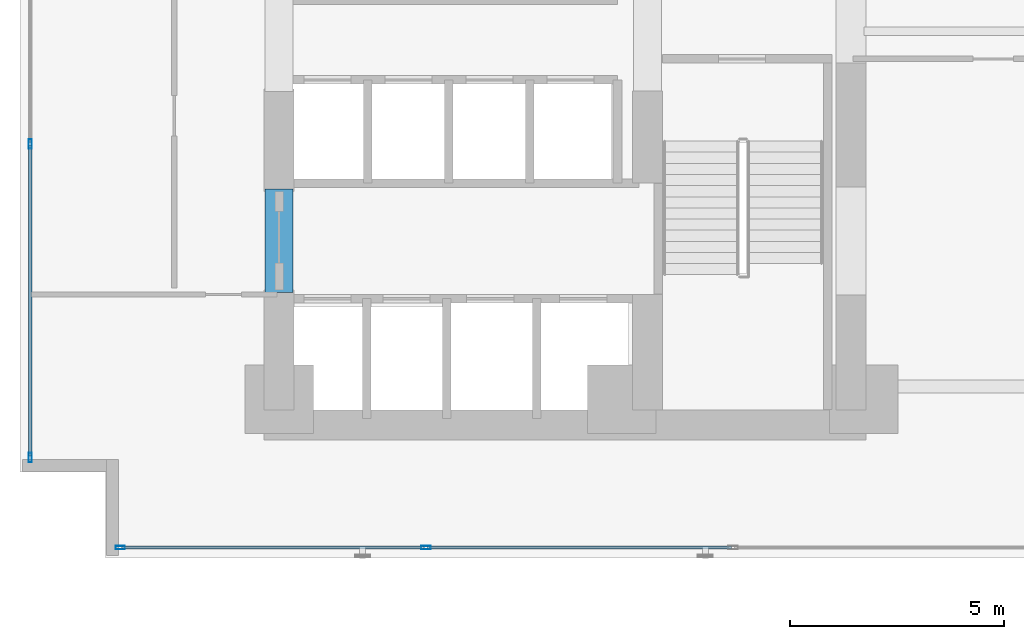
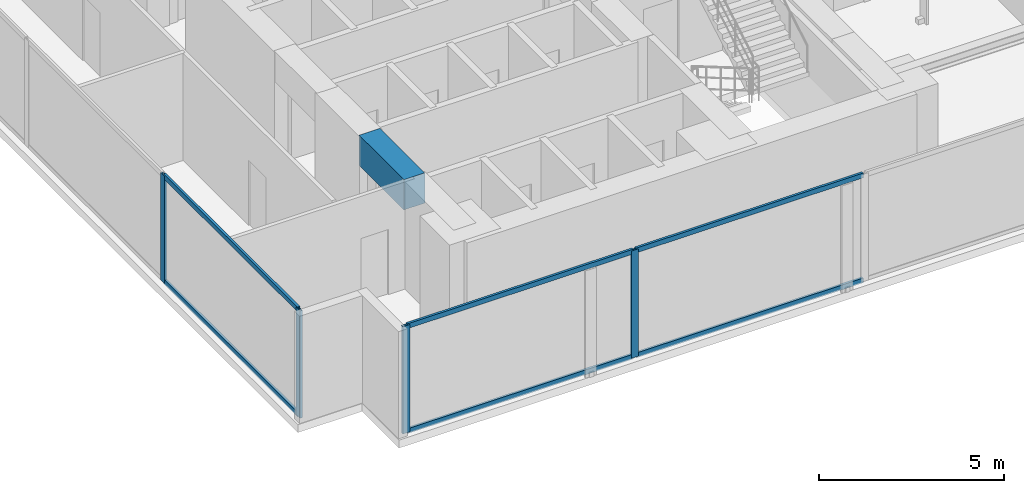
# One storey, part 2 of 27: 10 members, 1 beam, 2 elements without a shape of their own.
"""IFC4 building model written with IfcOpenShell, lengths in metres."""

from ifc_helpers import new_model, si_unit, direction, frame, origin, origin_with_axes, origin_2d, place, context, subcontext, project, spatial, rectangle, hollow_rectangle, extrude, source, transform, mapped, material, layer, layer_set, material_profile, profile_set, type_object, element, aggregate, save


model = new_model("IFC4")

# Units and contexts
model_context = context("Model", 3, precision=1e-05, world=origin(), true_north=direction((0.0, 1.0)))
body_context = subcontext(model_context, "Body", "Model", "MODEL_VIEW")
ifc_project = project(units=[si_unit("LENGTHUNIT", "METRE"), si_unit("AREAUNIT", "SQUARE_METRE"), si_unit("VOLUMEUNIT", "CUBIC_METRE"), si_unit("PLANEANGLEUNIT", "RADIAN"), si_unit("MASSUNIT", "GRAM", prefix="KILO")], contexts=[model_context])

# Site, building, storey
site_placement = place(None, origin())
site = spatial("IfcSite", under=ifc_project, at=site_placement, CompositionType="ELEMENT")
building_placement = place(site_placement, origin())
building = spatial("IfcBuilding", under=site, at=building_placement, Name="Kolvaren Waterfront Exchange", CompositionType="ELEMENT")
storey_placement = place(building_placement, frame((0.0, 0.0, 33.39990234375)))
storey = spatial("IfcBuildingStorey", under=building, at=storey_placement, Name="L08", CompositionType="ELEMENT", Elevation=33.39990234375)

# Beam
ifc_material_1 = material(Name="Concrete C60/75", Category="concrete")
ifc_material_profile_1 = material_profile(ifc_material_1, rectangle(XDim=0.64990234375, YDim=1.0, at=origin_2d()), Name="RC-CB-1000x650")
ifc_profile_set_1 = profile_set([ifc_material_profile_1], Name="Concrete C60/75")
beam_type = type_object("IfcBeamType", Name="STR-CB-1000", PredefinedType="SPANDREL", material=ifc_profile_set_1)
beam_placement = place(storey_placement, frame((7.449951171875, 7.389892578125, 3.0400390625), z_axis=(0.0, 1.0, 0.0), x_axis=(-1.0, 0.0, 0.0)))
element("IfcBeam", 1, at=beam_placement, inside=storey, type_object=beam_type, Name="L08 core coupling beam 3", PredefinedType="SPANDREL", context=body_context, shape_type="SweptSolid", body=[
    extrude(rectangle(XDim=0.64990234375, YDim=1.0, at=origin_2d()), origin(), (0.0, 0.0, 1.0), 2.420166015625),
])

# Curtain wall, members
ifc_material_2 = material(Name="Anodised bronze aluminium 6063-T6", Category="aluminium")
ifc_layer_1 = layer(ifc_material_2, 0.219970703125, Name="Anodised bronze aluminium 6063-T6")
ifc_layer_set_1 = layer_set([ifc_layer_1], Name="Anodised bronze aluminium 6063-T6")
curtain_wall_type_1 = type_object("IfcCurtainWallType", Name="ARC-CW-SYS1", PredefinedType="USERDEFINED", material=ifc_layer_set_1)
curtain_wall_1_placement = place(storey_placement, origin())
curtain_wall_1 = element("IfcCurtainWall", 2, at=curtain_wall_1_placement, inside=storey, type_object=curtain_wall_type_1, Name="L08 stick curtain wall CW1 (CW-L08-S)", ObjectType="STICK CURTAIN WALL", PredefinedType="USERDEFINED")
ifc_material_3 = material(Name="Anodised aluminium 6063-T6", Category="aluminium")
ifc_material_profile_2 = material_profile(ifc_material_3, hollow_rectangle(XDim=0.074951171875, YDim=0.159912109375, WallThickness=0.00439453125, at=origin_2d()), Name="ALU-TRN-160x75x4.5")
ifc_profile_set_2 = profile_set([ifc_material_profile_2], Name="Anodised aluminium 6063-T6")
member_type_1 = type_object("IfcMemberType", Name="ARC-CWT-160", PredefinedType="USERDEFINED", material=ifc_profile_set_2)
shared_shape_1 = source(origin_with_axes(), body_context, "Body", "SweptSolid", [
    extrude(hollow_rectangle(XDim=0.074951171875, YDim=0.159912109375, WallThickness=0.00439453125, at=origin_2d()), origin(), (0.0, 0.0, 1.0), 7.054931640625),
])
member_1_placement = place(storey_placement, frame((3.780029296875, 1.43994140625, 0.03759765625), z_axis=(1.0, 0.0, 0.0), x_axis=(0.0, 1.0, 0.0)))
member_1 = element("IfcMember", 3, at=member_1_placement, type_object=member_type_1, Name="CW1 transom 1.1", ObjectType="TRANSOM", PredefinedType="USERDEFINED", context=body_context, shape_type="MappedRepresentation", body=[
    mapped(shared_shape_1, transform((0.0, 0.0, 0.0), x_axis=(1.0, 0.0, 0.0), y_axis=(0.0, 1.0, 0.0), z_axis=(0.0, 0.0, 1.0), scale=1.0)),
])
member_2_placement = place(storey_placement, frame((3.780029296875, 1.43994140625, 3.502685546875), z_axis=(1.0, 0.0, 0.0), x_axis=(0.0, 1.0, 0.0)))
member_2 = element("IfcMember", 4, at=member_2_placement, type_object=member_type_1, Name="CW1 transom 1.2", ObjectType="TRANSOM", PredefinedType="USERDEFINED", context=body_context, shape_type="MappedRepresentation", body=[
    mapped(shared_shape_1, transform((0.0, 0.0, 0.0), x_axis=(1.0, 0.0, 0.0), y_axis=(0.0, 1.0, 0.0), z_axis=(0.0, 0.0, 1.0), scale=1.0)),
])
shared_shape_2 = source(origin_with_axes(), body_context, "Body", "SweptSolid", [
    extrude(hollow_rectangle(XDim=0.074951171875, YDim=0.159912109375, WallThickness=0.00439453125, at=origin_2d()), origin(), (0.0, 0.0, 1.0), 7.094970703125),
])
member_3_placement = place(storey_placement, frame((10.9150390625, 1.43994140625, 0.03759765625), z_axis=(1.0, 0.0, 0.0), x_axis=(0.0, 1.0, 0.0)))
member_3 = element("IfcMember", 5, at=member_3_placement, type_object=member_type_1, Name="CW1 transom 2.1", ObjectType="TRANSOM", PredefinedType="USERDEFINED", context=body_context, shape_type="MappedRepresentation", body=[
    mapped(shared_shape_2, transform((0.0, 0.0, 0.0), x_axis=(1.0, 0.0, 0.0), y_axis=(0.0, 1.0, 0.0), z_axis=(0.0, 0.0, 1.0), scale=1.0)),
])
member_4_placement = place(storey_placement, frame((10.9150390625, 1.43994140625, 3.502685546875), z_axis=(1.0, 0.0, 0.0), x_axis=(0.0, 1.0, 0.0)))
member_4 = element("IfcMember", 6, at=member_4_placement, type_object=member_type_1, Name="CW1 transom 2.2", ObjectType="TRANSOM", PredefinedType="USERDEFINED", context=body_context, shape_type="MappedRepresentation", body=[
    mapped(shared_shape_2, transform((0.0, 0.0, 0.0), x_axis=(1.0, 0.0, 0.0), y_axis=(0.0, 1.0, 0.0), z_axis=(0.0, 0.0, 1.0), scale=1.0)),
])

ifc_layer_2 = layer(ifc_material_3, 0.219970703125, Name="Anodised aluminium 6063-T6")
ifc_layer_set_2 = layer_set([ifc_layer_2], Name="Anodised aluminium 6063-T6")
curtain_wall_type_2 = type_object("IfcCurtainWallType", Name="ARC-CW-SYS2", PredefinedType="USERDEFINED", material=ifc_layer_set_2)
curtain_wall_2_placement = place(storey_placement, origin())
curtain_wall_2 = element("IfcCurtainWall", 7, at=curtain_wall_2_placement, inside=storey, type_object=curtain_wall_type_2, Name="L08 stick curtain wall CW2 (CW-L08-W)", ObjectType="STICK CURTAIN WALL", PredefinedType="USERDEFINED")
shared_shape_3 = source(origin_with_axes(), body_context, "Body", "SweptSolid", [
    extrude(hollow_rectangle(XDim=0.074951171875, YDim=0.159912109375, WallThickness=0.00439453125, at=origin_2d()), origin(), (0.0, 0.0, 1.0), 7.24658203125),
])
member_5_placement = place(storey_placement, frame((1.639892578125, 3.580078125, 0.03759765625), z_axis=(0.0, 1.0, 0.0), x_axis=(-1.0, 0.0, 0.0)))
member_5 = element("IfcMember", 8, at=member_5_placement, type_object=member_type_1, Name="CW2 transom 1.1", ObjectType="TRANSOM", PredefinedType="USERDEFINED", context=body_context, shape_type="MappedRepresentation", body=[
    mapped(shared_shape_3, transform((0.0, 0.0, 0.0), x_axis=(1.0, 0.0, 0.0), y_axis=(0.0, 1.0, 0.0), z_axis=(0.0, 0.0, 1.0), scale=1.0)),
])
member_6_placement = place(storey_placement, frame((1.639892578125, 3.580078125, 3.502685546875), z_axis=(0.0, 1.0, 0.0), x_axis=(-1.0, 0.0, 0.0)))
member_6 = element("IfcMember", 9, at=member_6_placement, type_object=member_type_1, Name="CW2 transom 1.2", ObjectType="TRANSOM", PredefinedType="USERDEFINED", context=body_context, shape_type="MappedRepresentation", body=[
    mapped(shared_shape_3, transform((0.0, 0.0, 0.0), x_axis=(1.0, 0.0, 0.0), y_axis=(0.0, 1.0, 0.0), z_axis=(0.0, 0.0, 1.0), scale=1.0)),
])

# Member
ifc_material_profile_3 = material_profile(ifc_material_3, hollow_rectangle(XDim=0.080078125, YDim=0.219970703125, WallThickness=0.0048828125, at=origin_2d()), Name="ALU-MUL-220x80x5")
ifc_profile_set_3 = profile_set([ifc_material_profile_3], Name="Anodised aluminium 6063-T6")
member_type_2 = type_object("IfcMemberType", Name="ARC-CWM-220", PredefinedType="MULLION", material=ifc_profile_set_3)
shared_shape_4 = source(origin_with_axes(), body_context, "Body", "SweptSolid", [
    extrude(hollow_rectangle(XDim=0.080078125, YDim=0.219970703125, WallThickness=0.0048828125, at=origin_2d()), origin(), (0.0, 0.0, 1.0), 3.5400390625),
])
member_7_placement = place(storey_placement, frame((3.739990234375, 1.43994140625, 0.0), z_axis=(0.0, 0.0, 1.0), x_axis=(0.0, 1.0, 0.0)))
member_7 = element("IfcMember", 10, at=member_7_placement, type_object=member_type_2, Name="CW1 mullion 1", PredefinedType="MULLION", context=body_context, shape_type="MappedRepresentation", body=[
    mapped(shared_shape_4, transform((0.0, 0.0, 0.0), x_axis=(1.0, 0.0, 0.0), y_axis=(0.0, 1.0, 0.0), z_axis=(0.0, 0.0, 1.0), scale=1.0)),
])

member_8_placement = place(storey_placement, frame((10.875, 1.43994140625, 0.0), z_axis=(0.0, 0.0, 1.0), x_axis=(0.0, 1.0, 0.0)))
member_8 = element("IfcMember", 11, at=member_8_placement, type_object=member_type_2, Name="CW1 mullion 2", PredefinedType="MULLION", context=body_context, shape_type="MappedRepresentation", body=[
    mapped(shared_shape_4, transform((0.0, 0.0, 0.0), x_axis=(1.0, 0.0, 0.0), y_axis=(0.0, 1.0, 0.0), z_axis=(0.0, 0.0, 1.0), scale=1.0)),
])

aggregate(curtain_wall_1, [member_7, member_8, member_1, member_2, member_3, member_4])

member_9_placement = place(storey_placement, frame((1.639892578125, 3.5400390625, 0.0), z_axis=(0.0, 0.0, 1.0), x_axis=(-1.0, 0.0, 0.0)))
member_9 = element("IfcMember", 12, at=member_9_placement, type_object=member_type_2, Name="CW2 mullion 1", PredefinedType="MULLION", context=body_context, shape_type="MappedRepresentation", body=[
    mapped(shared_shape_4, transform((0.0, 0.0, 0.0), x_axis=(1.0, 0.0, 0.0), y_axis=(0.0, 1.0, 0.0), z_axis=(0.0, 0.0, 1.0), scale=1.0)),
])

member_10_placement = place(storey_placement, frame((1.639892578125, 10.86669921875, 0.0), z_axis=(0.0, 0.0, 1.0), x_axis=(-1.0, 0.0, 0.0)))
member_10 = element("IfcMember", 13, at=member_10_placement, type_object=member_type_2, Name="CW2 mullion 2", PredefinedType="MULLION", context=body_context, shape_type="MappedRepresentation", body=[
    mapped(shared_shape_4, transform((0.0, 0.0, 0.0), x_axis=(1.0, 0.0, 0.0), y_axis=(0.0, 1.0, 0.0), z_axis=(0.0, 0.0, 1.0), scale=1.0)),
])

aggregate(curtain_wall_2, [member_9, member_10, member_5, member_6])

save(model, "model.ifc")
